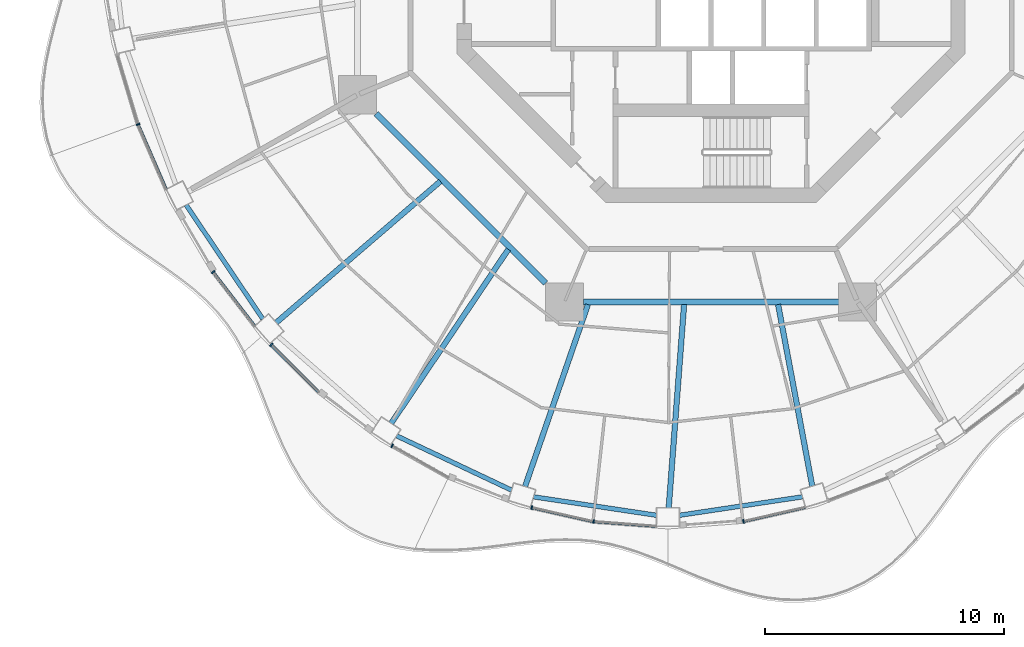
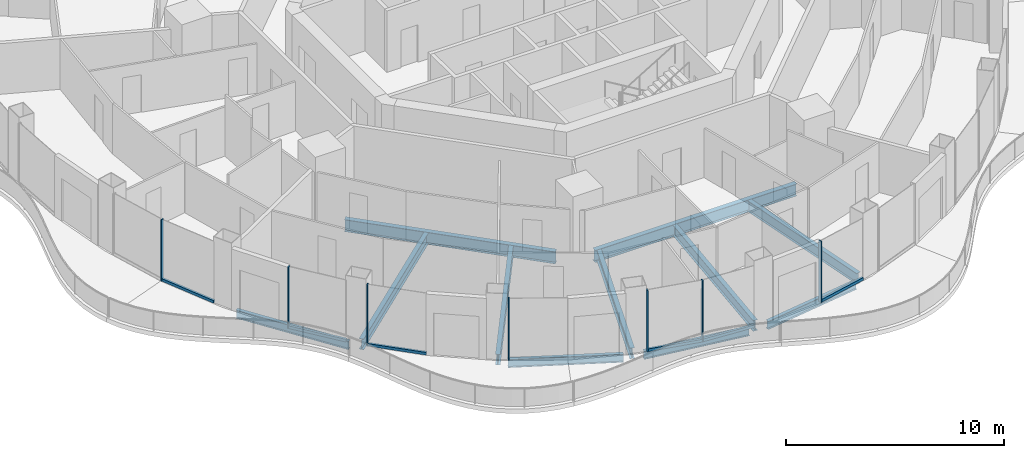
# One storey, part 2 of 18: 13 members, 11 beams, 7 elements without a shape of their own.
"""IFC4 building model written with IfcOpenShell, lengths in metres."""

from ifc_helpers import new_model, si_unit, direction, frame, origin, origin_2d, place, context, subcontext, project, spatial, rectangle, i_section, extrude, material, layer, layer_set, material_profile, profile_set, type_object, element, aggregate, save


model = new_model("IFC4")

# Units and contexts
model_context = context("Model", 3, precision=1e-05, world=origin(), true_north=direction((0.0, 1.0)))
body_context = subcontext(model_context, "Body", "Model", "MODEL_VIEW")
ifc_project = project(units=[si_unit("LENGTHUNIT", "METRE"), si_unit("AREAUNIT", "SQUARE_METRE"), si_unit("VOLUMEUNIT", "CUBIC_METRE"), si_unit("PLANEANGLEUNIT", "RADIAN"), si_unit("MASSUNIT", "GRAM", prefix="KILO")], contexts=[model_context])

# Site, building, storey
site_placement = place(None, origin())
site = spatial("IfcSite", under=ifc_project, at=site_placement, CompositionType="ELEMENT")
building_placement = place(site_placement, origin())
building = spatial("IfcBuilding", under=site, at=building_placement, Name="Nagisa Residences", CompositionType="ELEMENT")
storey_placement = place(building_placement, frame((0.0, 0.0, 215.89990234375)))
storey = spatial("IfcBuildingStorey", under=building, at=storey_placement, Name="L54", CompositionType="ELEMENT", Elevation=215.89990234375)

# Curtain wall, member
ifc_material_1 = material(Name="Concrete-coloured aluminium curtain wall system", Category="concrete")
ifc_layer = layer(ifc_material_1, 0.159912109375)
ifc_layer_set = layer_set([ifc_layer], Name="CW1 CURTAIN WALL")
curtain_wall_type = type_object("IfcCurtainWallType", Name="CW1 CURTAIN WALL", PredefinedType="NOTDEFINED", material=ifc_layer_set)
curtain_wall_1_placement = place(storey_placement, origin())
curtain_wall_1 = element("IfcCurtainWall", 1, at=curtain_wall_1_placement, inside=storey, type_object=curtain_wall_type, Name="cw:CW1:L54:27", PredefinedType="NOTDEFINED")
ifc_material_2 = material(Name="Concrete-coloured aluminium", Category="concrete")
ifc_material_profile_1 = material_profile(ifc_material_2, rectangle(XDim=0.159912109375, YDim=0.06005859375, at=origin_2d()), Name="CW1 MULLION 160x60")
ifc_profile_set_1 = profile_set([ifc_material_profile_1], Name="Concrete-coloured aluminium")
member_type_1 = type_object("IfcMemberType", Name="CW1 MULLION 160x60", PredefinedType="MULLION", material=ifc_profile_set_1)
member_1_placement = place(storey_placement, frame((-23.952392578125, -7.359619140625, 0.0), z_axis=(0.0, 0.0, 1.0), x_axis=(0.917543276295, 0.397635934147, 0.0)))
member_1 = element("IfcMember", 2, at=member_1_placement, type_object=member_type_1, Name="CW1 mullion", PredefinedType="MULLION", context=body_context, shape_type="SweptSolid", body=[
    extrude(rectangle(XDim=0.159912109375, YDim=0.06005859375, at=origin_2d()), origin(), (0.0, 0.0, 1.0), 3.440185546875),
])

curtain_wall_2_placement = place(storey_placement, origin())
curtain_wall_2 = element("IfcCurtainWall", 3, at=curtain_wall_2_placement, inside=storey, type_object=curtain_wall_type, Name="cw:CW1:L54:29", PredefinedType="NOTDEFINED")
member_2_placement = place(storey_placement, frame((-20.814453125, -13.53125, 0.0), z_axis=(0.0, 0.0, 1.0), x_axis=(0.792070340816, 0.610429828235, 0.0)))
member_2 = element("IfcMember", 4, at=member_2_placement, type_object=member_type_1, Name="CW1 mullion", PredefinedType="MULLION", context=body_context, shape_type="SweptSolid", body=[
    extrude(rectangle(XDim=0.159912109375, YDim=0.06005859375, at=origin_2d()), origin(), (0.0, 0.0, 1.0), 3.440185546875),
])

curtain_wall_3_placement = place(storey_placement, origin())
curtain_wall_3 = element("IfcCurtainWall", 5, at=curtain_wall_3_placement, inside=storey, type_object=curtain_wall_type, Name="cw:CW1:L54:30", PredefinedType="NOTDEFINED")
member_3_placement = place(storey_placement, frame((-18.388427734375, -16.567626953125, 0.0), z_axis=(0.0, 0.0, 1.0), x_axis=(0.706376885714, 0.707835924016, 0.0)))
member_3 = element("IfcMember", 6, at=member_3_placement, type_object=member_type_1, Name="CW1 mullion", PredefinedType="MULLION", context=body_context, shape_type="SweptSolid", body=[
    extrude(rectangle(XDim=0.159912109375, YDim=0.06005859375, at=origin_2d()), origin(), (0.0, 0.0, 1.0), 3.440185546875),
])

curtain_wall_4_placement = place(storey_placement, origin())
curtain_wall_4 = element("IfcCurtainWall", 7, at=curtain_wall_4_placement, inside=storey, type_object=curtain_wall_type, Name="cw:CW1:L54:32", PredefinedType="NOTDEFINED")
member_4_placement = place(storey_placement, frame((-13.333740234375, -20.792236328125, 0.0), z_axis=(0.0, 0.0, 1.0), x_axis=(0.489376918501, 0.872072377523, 0.0)))
member_4 = element("IfcMember", 8, at=member_4_placement, type_object=member_type_1, Name="CW1 mullion", PredefinedType="MULLION", context=body_context, shape_type="SweptSolid", body=[
    extrude(rectangle(XDim=0.159912109375, YDim=0.06005859375, at=origin_2d()), origin(), (0.0, 0.0, 1.0), 3.440185546875),
])
aggregate(curtain_wall_4, [member_4])

curtain_wall_5_placement = place(storey_placement, origin())
curtain_wall_5 = element("IfcCurtainWall", 9, at=curtain_wall_5_placement, inside=storey, type_object=curtain_wall_type, Name="cw:CW1:L54:34", PredefinedType="NOTDEFINED")
member_5_placement = place(storey_placement, frame((-7.4951171875, -23.3779296875, 0.0), z_axis=(0.0, 0.0, 1.0), x_axis=(0.2207639201, 0.975327274089, 0.0)))
member_5 = element("IfcMember", 10, at=member_5_placement, type_object=member_type_1, Name="CW1 mullion", PredefinedType="MULLION", context=body_context, shape_type="SweptSolid", body=[
    extrude(rectangle(XDim=0.159912109375, YDim=0.06005859375, at=origin_2d()), origin(), (0.0, 0.0, 1.0), 3.440185546875),
])

curtain_wall_6_placement = place(storey_placement, origin())
curtain_wall_6 = element("IfcCurtainWall", 11, at=curtain_wall_6_placement, inside=storey, type_object=curtain_wall_type, Name="cw:CW1:L54:35", PredefinedType="NOTDEFINED")
member_6_placement = place(storey_placement, frame((-4.906005859375, -23.96044921875, 0.0), z_axis=(0.0, 0.0, 1.0), x_axis=(0.074377355493, 0.997230168512, 0.0)))
member_6 = element("IfcMember", 12, at=member_6_placement, type_object=member_type_1, Name="CW1 mullion", PredefinedType="MULLION", context=body_context, shape_type="SweptSolid", body=[
    extrude(rectangle(XDim=0.159912109375, YDim=0.06005859375, at=origin_2d()), origin(), (0.0, 0.0, 1.0), 3.440185546875),
])

curtain_wall_7_placement = place(storey_placement, origin())
curtain_wall_7 = element("IfcCurtainWall", 13, at=curtain_wall_7_placement, inside=storey, type_object=curtain_wall_type, Name="cw:CW1:L54:37", PredefinedType="NOTDEFINED")
member_7_placement = place(storey_placement, frame((1.353271484375, -23.953369140625, 0.0), z_axis=(0.0, 0.0, 1.0), x_axis=(-0.2207639201, 0.975327274089, 0.0)))
member_7 = element("IfcMember", 14, at=member_7_placement, type_object=member_type_1, Name="CW1 mullion", PredefinedType="MULLION", context=body_context, shape_type="SweptSolid", body=[
    extrude(rectangle(XDim=0.159912109375, YDim=0.06005859375, at=origin_2d()), origin(), (0.0, 0.0, 1.0), 3.440185546875),
])

# Member
ifc_material_3 = material(Name="Concrete-coloured aluminium", Category="concrete")
ifc_material_profile_2 = material_profile(ifc_material_3, rectangle(XDim=0.1201171875, YDim=0.14990234375, at=origin_2d()), Name="CW1 TRANSOM 120x150")
ifc_profile_set_2 = profile_set([ifc_material_profile_2], Name="Concrete-coloured aluminium")
member_type_2 = type_object("IfcMemberType", Name="CW1 TRANSOM 120x150", PredefinedType="USERDEFINED", material=ifc_profile_set_2)
member_8_placement = place(storey_placement, frame((-23.96435546875, -7.332275390625, 0.0751953125), z_axis=(0.397616567135, -0.917551669139, 0.0), x_axis=(0.917551669139, 0.397616567135, 0.0)))
member_8 = element("IfcMember", 15, at=member_8_placement, type_object=member_type_2, Name="CW1 transom", ObjectType="TRANSOM", PredefinedType="USERDEFINED", context=body_context, shape_type="SweptSolid", body=[
    extrude(rectangle(XDim=0.1201171875, YDim=0.14990234375, at=origin_2d()), origin(), (0.0, 0.0, 1.0), 3.001953125),
])

aggregate(curtain_wall_1, [member_1, member_8])

member_9_placement = place(storey_placement, frame((-20.832763671875, -13.507568359375, 0.0751953125), z_axis=(0.610438565676, -0.792063607001, 0.0), x_axis=(0.792063607001, 0.610438565676, 0.0)))
member_9 = element("IfcMember", 16, at=member_9_placement, type_object=member_type_2, Name="CW1 transom", ObjectType="TRANSOM", PredefinedType="USERDEFINED", context=body_context, shape_type="SweptSolid", body=[
    extrude(rectangle(XDim=0.1201171875, YDim=0.14990234375, at=origin_2d()), origin(), (0.0, 0.0, 1.0), 2.90087890625),
])

aggregate(curtain_wall_2, [member_2, member_9])

member_10_placement = place(storey_placement, frame((-18.40966796875, -16.546630859375, 0.0751953125), z_axis=(0.707836044127, -0.706376765356, 0.0), x_axis=(0.706376765356, 0.707836044127, 0.0)))
member_10 = element("IfcMember", 17, at=member_10_placement, type_object=member_type_2, Name="CW1 transom", ObjectType="TRANSOM", PredefinedType="USERDEFINED", context=body_context, shape_type="SweptSolid", body=[
    extrude(rectangle(XDim=0.1201171875, YDim=0.14990234375, at=origin_2d()), origin(), (0.0, 0.0, 1.0), 2.84423828125),
])

aggregate(curtain_wall_3, [member_3, member_10])

member_11_placement = place(storey_placement, frame((-7.5244140625, -23.371337890625, 0.0751953125), z_axis=(0.975324089124, -0.220777990694, 0.0), x_axis=(0.220777990694, 0.975324089124, 0.0)))
member_11 = element("IfcMember", 18, at=member_11_placement, type_object=member_type_2, Name="CW1 transom", ObjectType="TRANSOM", PredefinedType="USERDEFINED", context=body_context, shape_type="SweptSolid", body=[
    extrude(rectangle(XDim=0.1201171875, YDim=0.14990234375, at=origin_2d()), origin(), (0.0, 0.0, 1.0), 2.666015625),
])

aggregate(curtain_wall_5, [member_5, member_11])

member_12_placement = place(storey_placement, frame((-4.935791015625, -23.958251953125, 0.0751953125), z_axis=(0.997233213085, -0.074336523458, 0.0), x_axis=(0.074336523458, 0.997233213085, 0.0)))
member_12 = element("IfcMember", 19, at=member_12_placement, type_object=member_type_2, Name="CW1 transom", ObjectType="TRANSOM", PredefinedType="USERDEFINED", context=body_context, shape_type="SweptSolid", body=[
    extrude(rectangle(XDim=0.1201171875, YDim=0.14990234375, at=origin_2d()), origin(), (0.0, 0.0, 1.0), 2.650390625),
])

aggregate(curtain_wall_6, [member_6, member_12])

member_13_placement = place(storey_placement, frame((1.32421875, -23.9599609375, 0.0751953125), z_axis=(0.975324089124, 0.220777990694, 0.0), x_axis=(-0.220777990694, 0.975324089124, 0.0)))
member_13 = element("IfcMember", 20, at=member_13_placement, type_object=member_type_2, Name="CW1 transom", ObjectType="TRANSOM", PredefinedType="USERDEFINED", context=body_context, shape_type="SweptSolid", body=[
    extrude(rectangle(XDim=0.1201171875, YDim=0.14990234375, at=origin_2d()), origin(), (0.0, 0.0, 1.0), 2.666015625),
])

aggregate(curtain_wall_7, [member_7, member_13])

# Beams
ifc_material_4 = material(Name="Steel ASTM A572 Gr 50", Category="steel")
ifc_material_profile_3 = material_profile(ifc_material_4, i_section(OverallWidth=0.2529296875, OverallDepth=0.677978515625, WebThickness=0.01171875, FlangeThickness=0.016357421875, at=origin_2d()), Name="W690x125")
ifc_profile_set_3 = profile_set([ifc_material_profile_3], Name="Steel ASTM A572 Gr 50")
beam_type_1 = type_object("IfcBeamType", Name="Inner ring beam W690x125", PredefinedType="BEAM", material=ifc_profile_set_3)
beam_1_placement = place(storey_placement, frame((-13.99609375, -6.90869140625, -0.598876953125), z_axis=(0.707106781187, -0.707106781187, 0.0), x_axis=(0.707106781187, 0.707106781187, 0.0)))
element("IfcBeam", 21, at=beam_1_placement, inside=storey, type_object=beam_type_1, Name="beam:L54:ib5", PredefinedType="BEAM", context=body_context, shape_type="SweptSolid", body=[
    extrude(i_section(OverallWidth=0.2529296875, OverallDepth=0.677978515625, WebThickness=0.01171875, FlangeThickness=0.016357421875, at=origin_2d()), origin(), (0.0, 0.0, 1.0), 10.023193359375),
])
beam_2_placement = place(storey_placement, frame((-5.343017578125, -14.781982421875, -0.598876953125), z_axis=(1.0, 0.0, 0.0), x_axis=(0.0, 1.0, 0.0)))
element("IfcBeam", 22, at=beam_2_placement, inside=storey, type_object=beam_type_1, Name="beam:L54:ib6", PredefinedType="BEAM", context=body_context, shape_type="SweptSolid", body=[
    extrude(i_section(OverallWidth=0.2529296875, OverallDepth=0.677978515625, WebThickness=0.01171875, FlangeThickness=0.016357421875, at=origin_2d()), origin(), (0.0, 0.0, 1.0), 10.68603515625),
])
ifc_material_5 = material(Name="Steel ASTM A572 Gr 50", Category="steel")
ifc_material_profile_4 = material_profile(ifc_material_5, i_section(OverallWidth=0.18994140625, OverallDepth=0.45703125, WebThickness=0.009033203125, FlangeThickness=0.014404296875, at=origin_2d()), Name="W460x74")
ifc_profile_set_4 = profile_set([ifc_material_profile_4], Name="Steel ASTM A572 Gr 50")
beam_type_2 = type_object("IfcBeamType", Name="Perimeter ring beam W460x74", PredefinedType="BEAM", material=ifc_profile_set_4)
beam_3_placement = place(storey_placement, frame((-21.942138671875, -10.728759765625, -0.48828125), z_axis=(0.558079852096, -0.829787249049, 0.0), x_axis=(0.829787249049, 0.558079852096, 0.0)))
element("IfcBeam", 23, at=beam_3_placement, inside=storey, type_object=beam_type_2, Name="beam:L54:pb15", PredefinedType="BEAM", context=body_context, shape_type="SweptSolid", body=[
    extrude(i_section(OverallWidth=0.18994140625, OverallDepth=0.45703125, WebThickness=0.009033203125, FlangeThickness=0.014404296875, at=origin_2d()), origin(), (0.0, 0.0, 1.0), 5.743408203125),
])
beam_4_placement = place(storey_placement, frame((-13.146484375, -20.376953125, -0.48828125), z_axis=(0.904133867308, -0.42724928319, 0.0), x_axis=(0.42724928319, 0.904133867308, 0.0)))
element("IfcBeam", 24, at=beam_4_placement, inside=storey, type_object=beam_type_2, Name="beam:L54:pb17", PredefinedType="BEAM", context=body_context, shape_type="SweptSolid", body=[
    extrude(i_section(OverallWidth=0.18994140625, OverallDepth=0.45703125, WebThickness=0.009033203125, FlangeThickness=0.014404296875, at=origin_2d()), origin(), (0.0, 0.0, 1.0), 5.317138671875),
])
for number, where, z_axis, x_axis, name in (
    (25, (-7.42041015625, -22.92822265625, -0.48828125), (0.988909463745, -0.148519603133, 0.0), (0.148519603133, 0.988909463745, 0.0), "beam:L54:pb18"),
    (26, (-1.31982421875, -23.7001953125, -0.48828125), (0.988909463745, 0.148519603133, 0.0), (-0.148519603133, 0.988909463745, 0.0), "beam:L54:pb19"),
):
    element("IfcBeam", number, at=place(storey_placement, frame(where, z_axis=z_axis, x_axis=x_axis)), inside=storey, type_object=beam_type_2, Name=name, PredefinedType="BEAM", context=body_context, shape_type="SweptSolid", body=[
        extrude(i_section(OverallWidth=0.18994140625, OverallDepth=0.45703125, WebThickness=0.009033203125, FlangeThickness=0.014404296875, at=origin_2d()), origin(), (0.0, 0.0, 1.0), 5.19775390625),
    ])
ifc_material_6 = material(Name="Steel ASTM A572 Gr 50", Category="steel")
ifc_material_profile_5 = material_profile(ifc_material_6, i_section(OverallWidth=0.22802734375, OverallDepth=0.60302734375, WebThickness=0.010498046875, FlangeThickness=0.014892578125, at=origin_2d()), Name="W610x101")
ifc_profile_set_5 = profile_set([ifc_material_profile_5], Name="Steel ASTM A572 Gr 50")
beam_type_3 = type_object("IfcBeamType", Name="Radial beam W610x101", PredefinedType="BEAM", material=ifc_profile_set_5)
beam_5_placement = place(storey_placement, frame((-18.178466796875, -15.6484375, -0.5615234375), z_axis=(0.7578828397, 0.652390681485, 0.0), x_axis=(-0.652390681485, 0.7578828397, 0.0)))
element("IfcBeam", 27, at=beam_5_placement, inside=storey, type_object=beam_type_3, Name="beam:L54:rb16", PredefinedType="BEAM", context=body_context, shape_type="SweptSolid", body=[
    extrude(i_section(OverallWidth=0.22802734375, OverallDepth=0.60302734375, WebThickness=0.010498046875, FlangeThickness=0.014892578125, at=origin_2d()), origin(), (0.0, 0.0, 1.0), 9.055908203125),
])
beam_6_placement = place(storey_placement, frame((-13.372802734375, -19.8544921875, -0.5615234375), z_axis=(0.558639079644, 0.829410862416, 0.0), x_axis=(-0.829410862416, 0.558639079644, 0.0)))
element("IfcBeam", 28, at=beam_6_placement, inside=storey, type_object=beam_type_3, Name="beam:L54:rb17", PredefinedType="BEAM", context=body_context, shape_type="SweptSolid", body=[
    extrude(i_section(OverallWidth=0.22802734375, OverallDepth=0.60302734375, WebThickness=0.010498046875, FlangeThickness=0.014892578125, at=origin_2d()), origin(), (0.0, 0.0, 1.0), 8.7685546875),
])
beam_7_placement = place(storey_placement, frame((-7.776123046875, -22.49658203125, -0.5615234375), z_axis=(0.32669171318, 0.945130956291, 0.0), x_axis=(-0.945130956291, 0.32669171318, 0.0)))
element("IfcBeam", 29, at=beam_7_placement, inside=storey, type_object=beam_type_3, Name="beam:L54:rb18", PredefinedType="BEAM", context=body_context, shape_type="SweptSolid", body=[
    extrude(i_section(OverallWidth=0.22802734375, OverallDepth=0.60302734375, WebThickness=0.010498046875, FlangeThickness=0.014892578125, at=origin_2d()), origin(), (0.0, 0.0, 1.0), 8.048583984375),
])
beam_8_placement = place(storey_placement, frame((-1.771240234375, -23.392333984375, -0.5615234375), z_axis=(0.075492377513, 0.997146378892, 0.0), x_axis=(-0.997146378892, 0.075492377513, 0.0)))
element("IfcBeam", 30, at=beam_8_placement, inside=storey, type_object=beam_type_3, Name="beam:L54:rb19", PredefinedType="BEAM", context=body_context, shape_type="SweptSolid", body=[
    extrude(i_section(OverallWidth=0.22802734375, OverallDepth=0.60302734375, WebThickness=0.010498046875, FlangeThickness=0.014892578125, at=origin_2d()), origin(), (0.0, 0.0, 1.0), 8.528076171875),
])
beam_9_placement = place(storey_placement, frame((4.229736328125, -22.480224609375, -0.5615234375), z_axis=(-0.184925861179, 0.982752474363, 0.0), x_axis=(-0.982752474363, -0.184925861179, 0.0)))
element("IfcBeam", 31, at=beam_9_placement, inside=storey, type_object=beam_type_3, Name="beam:L54:rb20", PredefinedType="BEAM", context=body_context, shape_type="SweptSolid", body=[
    extrude(i_section(OverallWidth=0.22802734375, OverallDepth=0.60302734375, WebThickness=0.010498046875, FlangeThickness=0.014892578125, at=origin_2d()), origin(), (0.0, 0.0, 1.0), 7.724609375),
])

save(model, "model.ifc")
